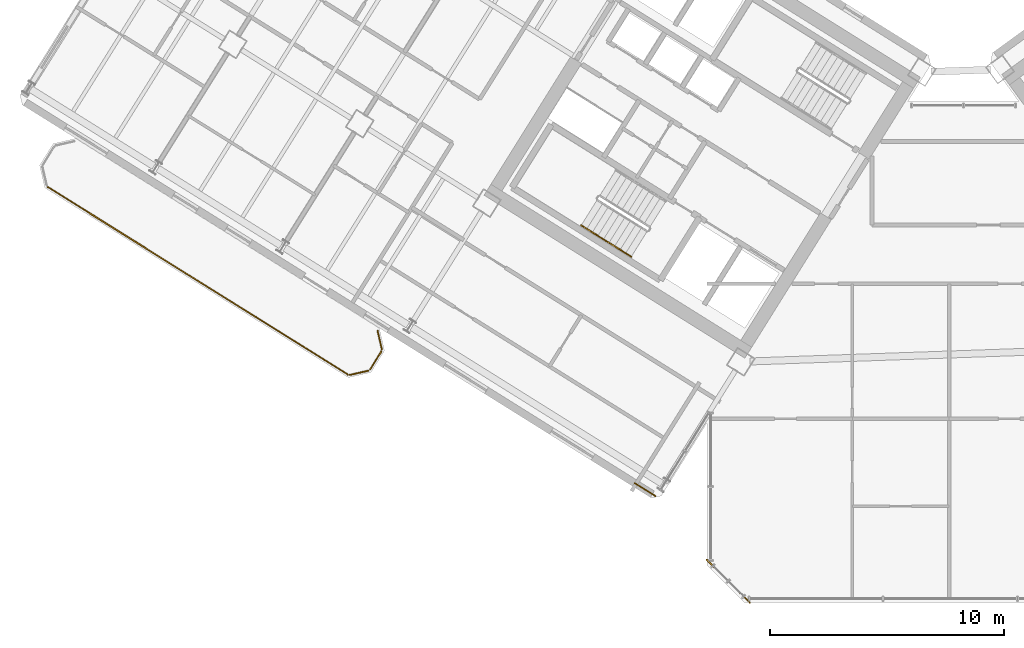
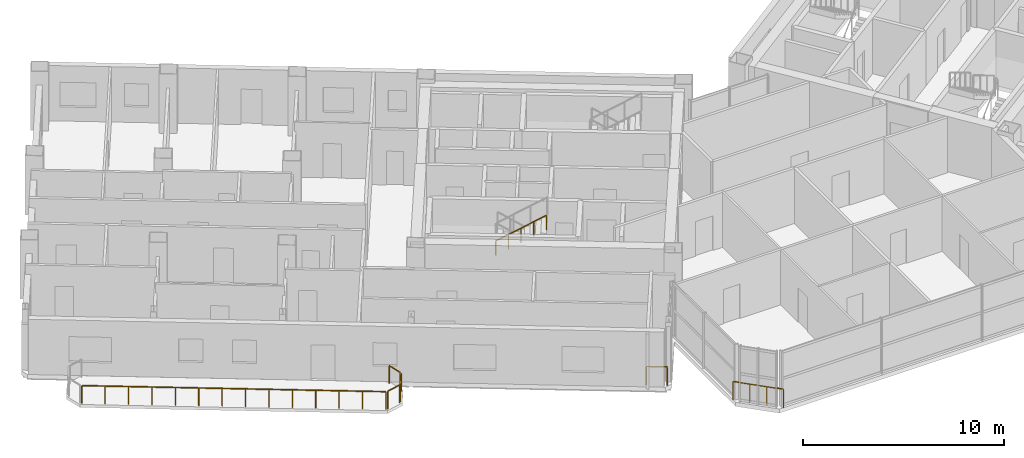
# One storey, part 22 of 25: 8 railings.
"""IFC4 building model written with IfcOpenShell, lengths in metres."""

from ifc_helpers import new_model, si_unit, direction, frame, origin, origin_2d, place, context, subcontext, project, spatial, rectangle, extrude, source, transform, mapped, material, type_object, element, save


model = new_model("IFC4")

# Units and contexts
model_context = context("Model", 3, precision=1e-05, world=origin(), true_north=direction((0.0, 1.0)))
body_context = subcontext(model_context, "Body", "Model", "MODEL_VIEW")
ifc_project = project(units=[si_unit("LENGTHUNIT", "METRE"), si_unit("AREAUNIT", "SQUARE_METRE"), si_unit("VOLUMEUNIT", "CUBIC_METRE"), si_unit("PLANEANGLEUNIT", "RADIAN"), si_unit("MASSUNIT", "GRAM", prefix="KILO")], contexts=[model_context])

# Site, building, storey
site_placement = place(None, origin())
site = spatial("IfcSite", under=ifc_project, at=site_placement, CompositionType="ELEMENT")
building_placement = place(site_placement, origin())
building = spatial("IfcBuilding", under=site, at=building_placement, Name="Tlacorven Tower", CompositionType="ELEMENT")
storey_placement = place(building_placement, frame((0.0, 0.0, 155.10009765625)))
storey = spatial("IfcBuildingStorey", under=building, at=storey_placement, Name="L39", CompositionType="ELEMENT", Elevation=155.10009765625)

# Railings
ifc_material = material(Name="Aluminium and painted steel balustrade", Category="steel")
railing_type_1 = type_object("IfcRailingType", Name="RL-BAL-1100", PredefinedType="BALUSTRADE", material=ifc_material)
shared_shape_1 = source(origin(), body_context, "Body", "SweptSolid", [
    extrude(rectangle(XDim=0.048095703125, YDim=0.048095703125, at=origin_2d()), frame((0.0, 0.0, 1.076171875), z_axis=(0.225058334816, -0.974345290916, 0.0), x_axis=(0.974345290916, 0.225058334816, 0.0)), (0.0, 0.0, 1.0), 0.80712890625),
    extrude(rectangle(XDim=0.0419921875, YDim=0.0419921875, at=origin_2d()), origin(), (0.0, 0.0, 1.0), 1.052001953125),
    extrude(rectangle(XDim=0.0419921875, YDim=0.0419921875, at=origin_2d()), frame((0.181640625, -0.786376953125, 0.0)), (0.0, 0.0, 1.0), 1.052001953125),
])
railing_1_placement = place(storey_placement, frame((17.5244140625, 13.413330078125, 0.0)))
element("IfcRailing", 1, at=railing_1_placement, inside=storey, type_object=railing_type_1, Name="BAL-L39-W-OUT Guard Railing 1", PredefinedType="BALUSTRADE", context=body_context, shape_type="MappedRepresentation", body=[
    mapped(shared_shape_1, transform((0.0, 0.0, 0.0), scale=1.0)),
])
shared_shape_2 = source(origin(), body_context, "Body", "SweptSolid", [
    extrude(rectangle(XDim=0.048095703125, YDim=0.048095703125, at=origin_2d()), frame((0.0, 0.0, 1.076171875), z_axis=(-0.52987865805, -0.848073468364, 0.0), x_axis=(0.848073468364, -0.52987865805, 0.0)), (0.0, 0.0, 1.0), 0.912353515625),
    extrude(rectangle(XDim=0.0419921875, YDim=0.0419921875, at=origin_2d()), origin(), (0.0, 0.0, 1.0), 1.052001953125),
    extrude(rectangle(XDim=0.0419921875, YDim=0.0419921875, at=origin_2d()), frame((-0.4833984375, -0.773681640625, 0.0)), (0.0, 0.0, 1.0), 1.052001953125),
])
railing_2_placement = place(storey_placement, frame((17.690673828125, 12.535888671875, 0.0)))
element("IfcRailing", 2, at=railing_2_placement, inside=storey, type_object=railing_type_1, Name="BAL-L39-W-OUT Guard Railing 2", PredefinedType="BALUSTRADE", context=body_context, shape_type="MappedRepresentation", body=[
    mapped(shared_shape_2, transform((0.0, 0.0, 0.0), scale=1.0)),
])
shared_shape_3 = source(origin(), body_context, "Body", "SweptSolid", [
    extrude(rectangle(XDim=0.048095703125, YDim=0.048095703125, at=origin_2d()), frame((0.0, 0.0, 1.076171875), z_axis=(-0.974411586182, -0.224771129628, 0.0), x_axis=(0.224771129628, -0.974411586182, 0.0)), (0.0, 0.0, 1.0), 0.80712890625),
    extrude(rectangle(XDim=0.0419921875, YDim=0.0419921875, at=origin_2d()), origin(), (0.0, 0.0, 1.0), 1.052001953125),
    extrude(rectangle(XDim=0.0419921875, YDim=0.0419921875, at=origin_2d()), frame((-0.786376953125, -0.181396484375, 0.0)), (0.0, 0.0, 1.0), 1.052001953125),
])
railing_3_placement = place(storey_placement, frame((17.132080078125, 11.70849609375, 0.0)))
element("IfcRailing", 3, at=railing_3_placement, inside=storey, type_object=railing_type_1, Name="BAL-L39-W-OUT Guard Railing 3", PredefinedType="BALUSTRADE", context=body_context, shape_type="MappedRepresentation", body=[
    mapped(shared_shape_3, transform((0.0, 0.0, 0.0), scale=1.0)),
])
shared_shape_4 = source(origin(), body_context, "Body", "SweptSolid", [
    extrude(rectangle(XDim=0.048095703125, YDim=0.048095703125, at=origin_2d()), frame((0.0, 0.0, 1.076171875), z_axis=(-0.848044572804, 0.529924902733, 0.0), x_axis=(-0.529924902733, -0.848044572804, 0.0)), (0.0, 0.0, 1.0), 15.1171875),
    extrude(rectangle(XDim=0.0419921875, YDim=0.0419921875, at=origin_2d()), origin(), (0.0, 0.0, 1.0), 1.052001953125),
    extrude(rectangle(XDim=0.0419921875, YDim=0.0419921875, at=origin_2d()), frame((-0.986083984375, 0.6162109375, 0.0)), (0.0, 0.0, 1.0), 1.052001953125),
    extrude(rectangle(XDim=0.0419921875, YDim=0.0419921875, at=origin_2d()), frame((-1.972412109375, 1.232421875, 0.0)), (0.0, 0.0, 1.0), 1.052001953125),
    extrude(rectangle(XDim=0.0419921875, YDim=0.0419921875, at=origin_2d()), frame((-2.95849609375, 1.8486328125, 0.0)), (0.0, 0.0, 1.0), 1.052001953125),
    extrude(rectangle(XDim=0.0419921875, YDim=0.0419921875, at=origin_2d()), frame((-3.944580078125, 2.46484375, 0.0)), (0.0, 0.0, 1.0), 1.052001953125),
    extrude(rectangle(XDim=0.0419921875, YDim=0.0419921875, at=origin_2d()), frame((-4.930908203125, 3.0810546875, 0.0)), (0.0, 0.0, 1.0), 1.052001953125),
    extrude(rectangle(XDim=0.0419921875, YDim=0.0419921875, at=origin_2d()), frame((-5.9169921875, 3.697265625, 0.0)), (0.0, 0.0, 1.0), 1.052001953125),
    extrude(rectangle(XDim=0.0419921875, YDim=0.0419921875, at=origin_2d()), frame((-6.903076171875, 4.313720703125, 0.0)), (0.0, 0.0, 1.0), 1.052001953125),
    extrude(rectangle(XDim=0.0419921875, YDim=0.0419921875, at=origin_2d()), frame((-7.88916015625, 4.929931640625, 0.0)), (0.0, 0.0, 1.0), 1.052001953125),
    extrude(rectangle(XDim=0.0419921875, YDim=0.0419921875, at=origin_2d()), frame((-8.87548828125, 5.546142578125, 0.0)), (0.0, 0.0, 1.0), 1.052001953125),
    extrude(rectangle(XDim=0.0419921875, YDim=0.0419921875, at=origin_2d()), frame((-9.861572265625, 6.162353515625, 0.0)), (0.0, 0.0, 1.0), 1.052001953125),
    extrude(rectangle(XDim=0.0419921875, YDim=0.0419921875, at=origin_2d()), frame((-10.84765625, 6.778564453125, 0.0)), (0.0, 0.0, 1.0), 1.052001953125),
    extrude(rectangle(XDim=0.0419921875, YDim=0.0419921875, at=origin_2d()), frame((-11.833984375, 7.394775390625, 0.0)), (0.0, 0.0, 1.0), 1.052001953125),
    extrude(rectangle(XDim=0.0419921875, YDim=0.0419921875, at=origin_2d()), frame((-12.820068359375, 8.010986328125, 0.0)), (0.0, 0.0, 1.0), 1.052001953125),
])
railing_4_placement = place(storey_placement, frame((16.254638671875, 11.542236328125, 0.0)))
element("IfcRailing", 4, at=railing_4_placement, inside=storey, type_object=railing_type_1, Name="BAL-L39-W-OUT Guard Railing 4", PredefinedType="BALUSTRADE", context=body_context, shape_type="MappedRepresentation", body=[
    mapped(shared_shape_4, transform((0.0, 0.0, 0.0), scale=1.0)),
])
railing_type_2 = type_object("IfcRailingType", Name="RL-GRD-1150", PredefinedType="GUARDRAIL", material=ifc_material)
shared_shape_5 = source(origin(), body_context, "Body", "SweptSolid", [
    extrude(rectangle(XDim=0.048095703125, YDim=0.048095703125, at=origin_2d()), frame((0.0, 0.0, 1.1259765625), z_axis=(-0.707106781187, 0.707106781187, 0.0), x_axis=(-0.707106781187, -0.707106781187, 0.0)), (0.0, 0.0, 1.0), 2.590087890625),
    extrude(rectangle(XDim=0.0419921875, YDim=0.0419921875, at=origin_2d()), origin(), (0.0, 0.0, 1.0), 1.101806640625),
    extrude(rectangle(XDim=0.0419921875, YDim=0.0419921875, at=origin_2d()), frame((-0.610595703125, 0.610595703125, 0.0)), (0.0, 0.0, 1.0), 1.101806640625),
    extrude(rectangle(XDim=0.0419921875, YDim=0.0419921875, at=origin_2d()), frame((-1.220947265625, 1.220947265625, 0.0)), (0.0, 0.0, 1.0), 1.101806640625),
    extrude(rectangle(XDim=0.0419921875, YDim=0.0419921875, at=origin_2d()), frame((-1.83154296875, 1.83154296875, 0.0)), (0.0, 0.0, 1.0), 1.101806640625),
])
railing_5_placement = place(storey_placement, frame((33.428955078125, 1.79736328125, 0.0)))
element("IfcRailing", 5, at=railing_5_placement, inside=storey, type_object=railing_type_2, Name="L39 Knuckle Glazed Sill Guard 1", PredefinedType="GUARDRAIL", context=body_context, shape_type="MappedRepresentation", body=[
    mapped(shared_shape_5, transform((0.0, 0.0, 0.0), scale=1.0)),
])
shared_shape_6 = source(origin(), body_context, "Body", "SweptSolid", [
    extrude(rectangle(XDim=0.048095703125, YDim=0.048095703125, at=origin_2d()), frame((0.0, 0.0, 1.1259765625), z_axis=(-0.848102774857, 0.529831749973, 0.0), x_axis=(-0.529831749973, -0.848102774857, 0.0)), (0.0, 0.0, 1.0), 1.050048828125),
    extrude(rectangle(XDim=0.0419921875, YDim=0.0419921875, at=origin_2d()), origin(), (0.0, 0.0, 1.0), 1.101806640625),
    extrude(rectangle(XDim=0.0419921875, YDim=0.0419921875, at=origin_2d()), frame((-0.890625, 0.556396484375, 0.0)), (0.0, 0.0, 1.0), 1.101806640625),
])
railing_6_placement = place(storey_placement, frame((29.39501953125, 6.35009765625, 0.0)))
element("IfcRailing", 6, at=railing_6_placement, inside=storey, type_object=railing_type_2, Name="L39 Knuckle Glazed Sill Guard 2", PredefinedType="GUARDRAIL", context=body_context, shape_type="MappedRepresentation", body=[
    mapped(shared_shape_6, transform((0.0, 0.0, 0.0), scale=1.0)),
])
railing_type_3 = type_object("IfcRailingType", Name="RL-HND-0900", PredefinedType="HANDRAIL", material=ifc_material)
shared_shape_7 = source(origin(), body_context, "Body", "SweptSolid", [
    extrude(rectangle(XDim=0.048095703125, YDim=0.048095703125, at=origin_2d()), frame((0.0, 0.0, 0.8759765625), z_axis=(0.713279695859, -0.445799809912, 0.540827703579), x_axis=(0.529998940003, 0.847998304005, 0.0)), (0.0, 0.0, 1.0), 1.497802734375),
    extrude(rectangle(XDim=0.0419921875, YDim=0.0419921875, at=origin_2d()), origin(), (0.0, 0.0, 1.0), 0.851806640625),
    extrude(rectangle(XDim=0.0419921875, YDim=0.0419921875, at=origin_2d()), frame((0.5341796875, -0.333984375, 0.405029296875)), (0.0, 0.0, 1.0), 0.851806640625),
    extrude(rectangle(XDim=0.0419921875, YDim=0.0419921875, at=origin_2d()), frame((1.068359375, -0.667724609375, 0.81005859375)), (0.0, 0.0, 1.0), 0.851806640625),
])
railing_7_placement = place(storey_placement, frame((27.29736328125, 17.24755859375, 2.789794921875)))
element("IfcRailing", 7, at=railing_7_placement, inside=storey, type_object=railing_type_3, Name="L39 ST-W1 stair handrail 4", PredefinedType="HANDRAIL", context=body_context, shape_type="MappedRepresentation", body=[
    mapped(shared_shape_7, transform((0.0, 0.0, 0.0), scale=1.0)),
])
shared_shape_8 = source(origin(), body_context, "Body", "SweptSolid", [
    extrude(rectangle(XDim=0.048095703125, YDim=0.048095703125, at=origin_2d()), frame((0.0, 0.0, 0.8759765625), z_axis=(0.713422621445, -0.445787267455, 0.540649494022), x_axis=(0.529911857636, 0.848052724267, 0.0)), (0.0, 0.0, 1.0), 1.497802734375),
    extrude(rectangle(XDim=0.0419921875, YDim=0.0419921875, at=origin_2d()), origin(), (0.0, 0.0, 1.0), 0.851806640625),
    extrude(rectangle(XDim=0.0419921875, YDim=0.0419921875, at=origin_2d()), frame((0.5341796875, -0.333984375, 0.40478515625)), (0.0, 0.0, 1.0), 0.851806640625),
    extrude(rectangle(XDim=0.0419921875, YDim=0.0419921875, at=origin_2d()), frame((1.068603515625, -0.667724609375, 0.809814453125)), (0.0, 0.0, 1.0), 0.851806640625),
])
railing_8_placement = place(storey_placement, frame((26.228759765625, 17.915283203125, 1.97998046875)))
element("IfcRailing", 8, at=railing_8_placement, inside=storey, type_object=railing_type_3, Name="L39 ST-W1 stair handrail 3", PredefinedType="HANDRAIL", context=body_context, shape_type="MappedRepresentation", body=[
    mapped(shared_shape_8, transform((0.0, 0.0, 0.0), scale=1.0)),
])

save(model, "model.ifc")
